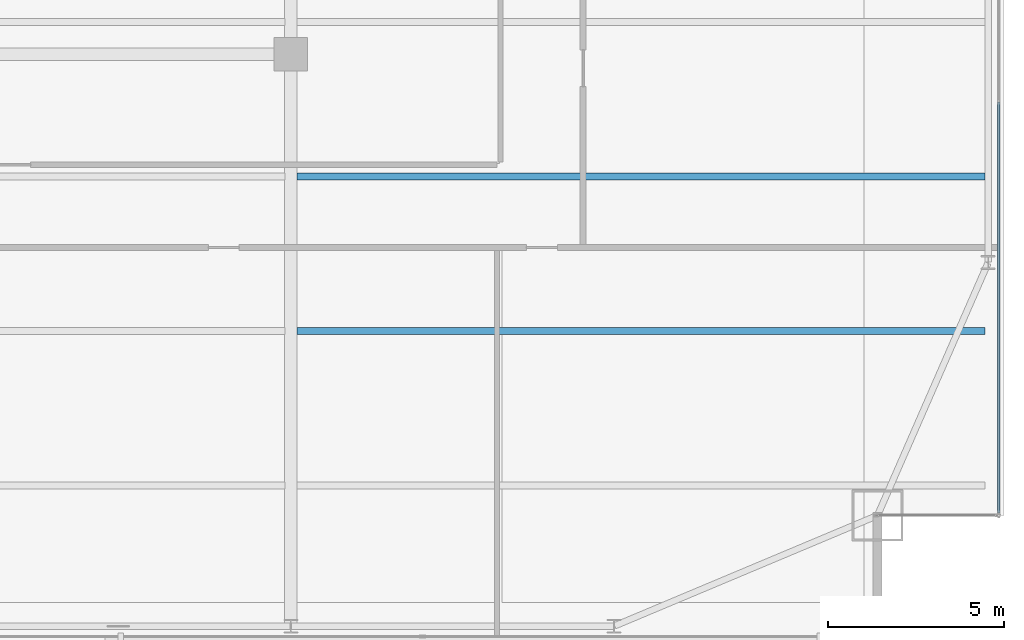
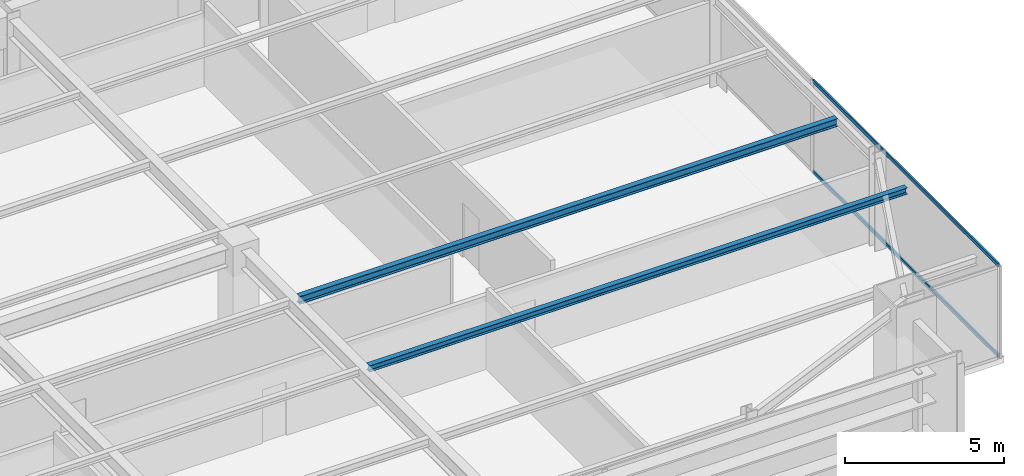
# One storey, part 17 of 33: 2 beams, 2 members, 1 element without a shape of its own.
"""IFC4 building model written with IfcOpenShell, lengths in metres."""

from ifc_helpers import new_model, si_unit, direction, frame, origin, origin_2d, place, context, subcontext, project, spatial, hollow_rectangle, i_section, extrude, source, transform, mapped, material, layer, layer_set, material_profile, profile_set, type_object, type_shapes, element, aggregate, save


model = new_model("IFC4")

# Units and contexts
model_context = context("Model", 3, precision=1e-05, world=origin(), true_north=direction((0.0, 1.0)))
body_context = subcontext(model_context, "Body", "Model", "MODEL_VIEW")
ifc_project = project(units=[si_unit("LENGTHUNIT", "METRE"), si_unit("AREAUNIT", "SQUARE_METRE"), si_unit("VOLUMEUNIT", "CUBIC_METRE"), si_unit("PLANEANGLEUNIT", "RADIAN"), si_unit("MASSUNIT", "GRAM", prefix="KILO")], contexts=[model_context])

# Site, building, storey
site_placement = place(None, origin())
site = spatial("IfcSite", under=ifc_project, at=site_placement, CompositionType="ELEMENT")
building_placement = place(site_placement, origin())
building = spatial("IfcBuilding", under=site, at=building_placement, Name="Varnel Quay Broadcast Tower", CompositionType="ELEMENT")
storey_placement = place(building_placement, frame((0.0, 0.0, 129.60009765625)))
storey = spatial("IfcBuildingStorey", under=building, at=storey_placement, Name="L31", CompositionType="ELEMENT", Elevation=129.60009765625)

# Beams
ifc_material_1 = material(Name="Structural Steel CSA G40.21 350W", Category="steel")
ifc_material_profile_1 = material_profile(ifc_material_1, i_section(OverallWidth=0.202880859375, OverallDepth=0.302978515625, WebThickness=0.007568359375, FlangeThickness=0.01318359375, FilletRadius=0.011962890625, at=origin_2d()), Name="W310X60")
ifc_profile_set_1 = profile_set([ifc_material_profile_1], Name="Structural Steel CSA G40.21 350W")
beam_type_1 = type_object("IfcBeamType", Name="Beam_W310X60", PredefinedType="JOIST", material=ifc_profile_set_1)
shared_shape_1 = source(origin(), body_context, "Body", "SweptSolid", [
    extrude(i_section(OverallWidth=0.202880859375, OverallDepth=0.302978515625, WebThickness=0.007568359375, FlangeThickness=0.01318359375, FilletRadius=0.011962890625, at=origin_2d()), origin(), (0.0, 0.0, 1.0), 19.592041015625),
])
type_shapes(beam_type_1, [shared_shape_1])
beam_1_placement = place(storey_placement, frame((43.37255859375, 17.449951171875, 3.3984375), z_axis=(1.0, 0.0, 0.0), x_axis=(0.0, 1.0, 0.0)))
element("IfcBeam", 1, at=beam_1_placement, inside=storey, type_object=beam_type_1, Name="L31 East Floor Joist 3", PredefinedType="JOIST", context=body_context, shape_type="MappedRepresentation", body=[
    mapped(shared_shape_1, transform((0.0, 0.0, 0.0), x_axis=(1.0, 0.0, 0.0), y_axis=(0.0, 1.0, 0.0), z_axis=(0.0, 0.0, 1.0), scale=1.0)),
])
ifc_material_profile_2 = material_profile(ifc_material_1, i_section(OverallWidth=0.201904296875, OverallDepth=0.2470703125, WebThickness=0.00732421875, FlangeThickness=0.010986328125, FilletRadius=0.010986328125, at=origin_2d()), Name="W250X49")
ifc_profile_set_2 = profile_set([ifc_material_profile_2], Name="Structural Steel CSA G40.21 350W")
beam_type_2 = type_object("IfcBeamType", Name="Beam_W250X49", PredefinedType="JOIST", material=ifc_profile_set_2)
shared_shape_2 = source(origin(), body_context, "Body", "SweptSolid", [
    extrude(i_section(OverallWidth=0.201904296875, OverallDepth=0.2470703125, WebThickness=0.00732421875, FlangeThickness=0.010986328125, FilletRadius=0.010986328125, at=origin_2d()), origin(), (0.0, 0.0, 1.0), 19.592041015625),
])
type_shapes(beam_type_2, [shared_shape_2])
beam_2_placement = place(storey_placement, frame((43.37255859375, 13.050048828125, 3.426513671875), z_axis=(1.0, 0.0, 0.0), x_axis=(0.0, 1.0, 0.0)))
element("IfcBeam", 2, at=beam_2_placement, inside=storey, type_object=beam_type_2, Name="L31 East Floor Joist 2", PredefinedType="JOIST", context=body_context, shape_type="MappedRepresentation", body=[
    mapped(shared_shape_2, transform((0.0, 0.0, 0.0), x_axis=(1.0, 0.0, 0.0), y_axis=(0.0, 1.0, 0.0), z_axis=(0.0, 0.0, 1.0), scale=1.0)),
])

# Curtain wall, members
ifc_material_2 = material(Name="Anodised Bronze Aluminium 6063-T6", Category="aluminium")
ifc_layer = layer(ifc_material_2, 0.18994140625, Name="Anodised Bronze Aluminium 6063-T6")
ifc_layer_set = layer_set([ifc_layer], Name="Anodised Bronze Aluminium 6063-T6")
curtain_wall_type = type_object("IfcCurtainWallType", Name="CW_LowerTower", PredefinedType="NOTDEFINED", material=ifc_layer_set)
curtain_wall_placement = place(storey_placement, origin())
curtain_wall = element("IfcCurtainWall", 3, at=curtain_wall_placement, inside=storey, type_object=curtain_wall_type, Name="L31 East Unitised Curtain Wall", PredefinedType="NOTDEFINED")
ifc_material_profile_3 = material_profile(ifc_material_2, hollow_rectangle(XDim=0.06005859375, YDim=0.14501953125, WallThickness=0.00341796875, at=origin_2d()), Name="ALU60X145X3.5")
ifc_profile_set_3 = profile_set([ifc_material_profile_3], Name="Anodised Bronze Aluminium 6063-T6")
member_type = type_object("IfcMemberType", Name="Tran_CWS-02", PredefinedType="USERDEFINED", material=ifc_profile_set_3)
shared_shape_3 = source(origin(), body_context, "Body", "SweptSolid", [
    extrude(hollow_rectangle(XDim=0.06005859375, YDim=0.14501953125, WallThickness=0.00341796875, at=origin_2d()), origin(), (0.0, 0.0, 1.0), 11.69482421875),
])
type_shapes(member_type, [shared_shape_3])
member_1_placement = place(storey_placement, frame((63.35009765625, 7.8701171875, 0.02978515625), z_axis=(0.0, 1.0, 0.0), x_axis=(-1.0, 0.0, 0.0)))
member_1 = element("IfcMember", 4, at=member_1_placement, type_object=member_type, Name="CWS-02 transom 1.1", ObjectType="TRANSOM", PredefinedType="USERDEFINED", context=body_context, shape_type="MappedRepresentation", body=[
    mapped(shared_shape_3, transform((0.0, 0.0, 0.0), x_axis=(1.0, 0.0, 0.0), y_axis=(0.0, 1.0, 0.0), z_axis=(0.0, 0.0, 1.0), scale=1.0)),
])
member_2_placement = place(storey_placement, frame((63.35009765625, 7.8701171875, 3.52001953125), z_axis=(0.0, 1.0, 0.0), x_axis=(-1.0, 0.0, 0.0)))
member_2 = element("IfcMember", 5, at=member_2_placement, type_object=member_type, Name="CWS-02 transom 1.2", ObjectType="TRANSOM", PredefinedType="USERDEFINED", context=body_context, shape_type="MappedRepresentation", body=[
    mapped(shared_shape_3, transform((0.0, 0.0, 0.0), x_axis=(1.0, 0.0, 0.0), y_axis=(0.0, 1.0, 0.0), z_axis=(0.0, 0.0, 1.0), scale=1.0)),
])
aggregate(curtain_wall, [member_1, member_2])

save(model, "model.ifc")
